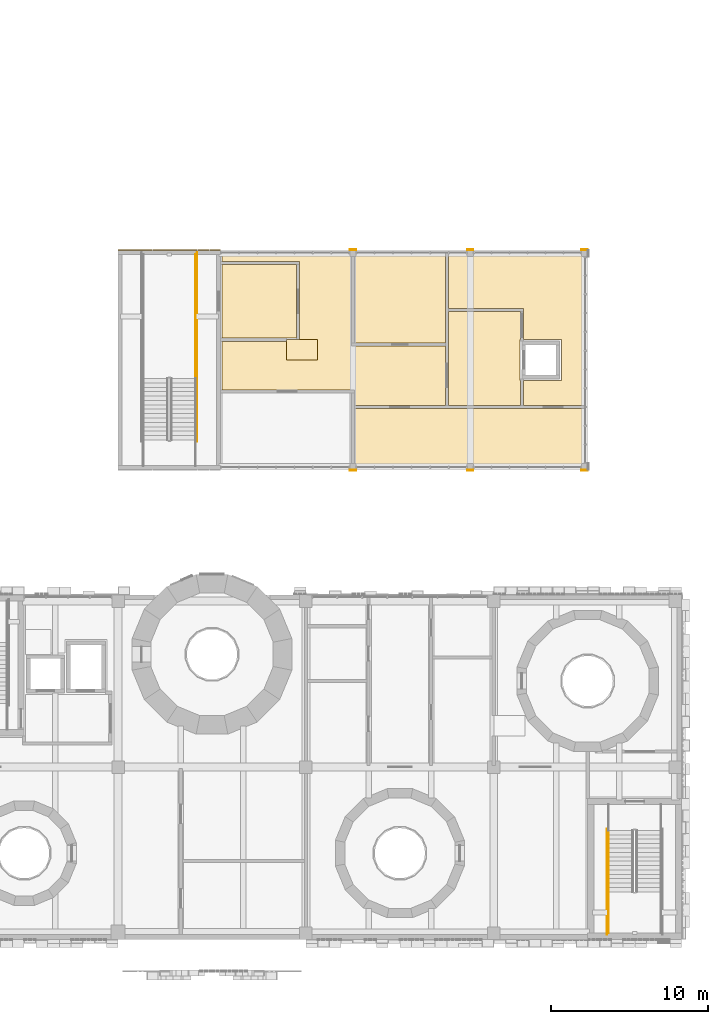
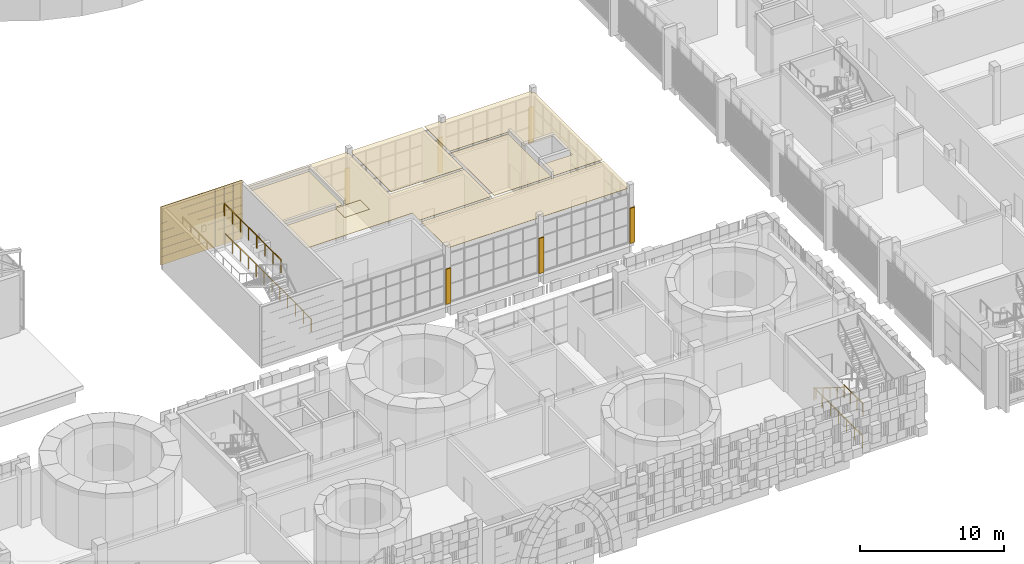
# One storey, part 103 of 125: 10 coverings, 5 railings.
"""IFC4 building model written with IfcOpenShell, lengths in metres."""

from ifc_helpers import new_model, si_unit, direction, frame, origin, origin_2d, place, context, subcontext, project, spatial, polyline, rectangle, circle, outline, extrude, material, layer, layer_set, type_object, element, save


model = new_model("IFC4")

# Units and contexts
model_context = context("Model", 3, precision=1e-05, world=origin(), true_north=direction((0.0, 1.0)))
body_context = subcontext(model_context, "Body", "Model", "MODEL_VIEW")
ifc_project = project(units=[si_unit("LENGTHUNIT", "METRE"), si_unit("AREAUNIT", "SQUARE_METRE"), si_unit("VOLUMEUNIT", "CUBIC_METRE"), si_unit("PLANEANGLEUNIT", "RADIAN"), si_unit("MASSUNIT", "GRAM", prefix="KILO")], contexts=[model_context])

# Site, building, storey
site_placement = place(None, origin())
site = spatial("IfcSite", under=ifc_project, at=site_placement, CompositionType="ELEMENT")
building_placement = place(site_placement, origin())
building = spatial("IfcBuilding", under=site, at=building_placement, Name="Sun Court Science Centre", CompositionType="ELEMENT")
storey_placement = place(building_placement, frame((0.0, 0.0, 6.0)))
storey = spatial("IfcBuildingStorey", under=building, at=storey_placement, Name="L01", CompositionType="ELEMENT", Elevation=6.0)

# Coverings
ifc_material_1 = material(Name="Gypsum board")
ifc_layer_1 = layer(ifc_material_1, 0.030029296875)
ifc_layer_set_1 = layer_set([ifc_layer_1], Name="Gypsum board")
covering_type_1 = type_object("IfcCoveringType", Name="Ceiling suspended 600 module", PredefinedType="CEILING", material=ifc_layer_set_1)
covering_1_placement = place(storey_placement, frame((0.0, 0.0, 4.52001953125)))
element("IfcCovering", 1, at=covering_1_placement, inside=storey, type_object=covering_type_1, Name="L01-085 ceiling", PredefinedType="CEILING", context=body_context, shape_type="SweptSolid", body=[
    extrude(outline(polyline([(42.64990234375, 49.10009765625), (47.39990234375, 49.10009765625), (47.39990234375, 44.39990234375), (42.64990234375, 44.39990234375), (42.64990234375, 49.10009765625)])), origin(), (0.0, 0.0, 1.0), 0.030029296875),
])
covering_2_placement = place(storey_placement, frame((0.0, 0.0, 4.52001953125)))
element("IfcCovering", 2, at=covering_2_placement, inside=storey, type_object=covering_type_1, Name="L01-086 ceiling", PredefinedType="CEILING", context=body_context, shape_type="SweptSolid", body=[
    extrude(outline(polyline([(46.75, 43.0), (48.75, 43.0), (48.75, 44.300048828125), (47.60009765625, 44.300048828125), (47.60009765625, 49.300048828125), (42.64990234375, 49.300048828125), (42.64990234375, 49.800048828125), (50.800048828125, 49.800048828125), (50.800048828125, 49.60009765625), (50.89990234375, 49.60009765625), (50.89990234375, 43.89990234375), (56.89990234375, 43.89990234375), (56.89990234375, 40.10009765625), (51.10009765625, 40.10009765625), (51.10009765625, 41.10009765625), (42.64990234375, 41.10009765625), (42.64990234375, 44.199951171875), (46.75, 44.199951171875), (46.75, 43.0)])), origin(), (0.0, 0.0, 1.0), 0.030029296875),
])
covering_3_placement = place(storey_placement, frame((0.0, 0.0, 4.52001953125)))
element("IfcCovering", 3, at=covering_3_placement, inside=storey, type_object=covering_type_1, Name="L01-087 ceiling", PredefinedType="CEILING", context=body_context, shape_type="SweptSolid", body=[
    extrude(outline(polyline([(56.89990234375, 49.800048828125), (56.89990234375, 44.10009765625), (51.10009765625, 44.10009765625), (51.10009765625, 49.60009765625), (51.199951171875, 49.60009765625), (51.199951171875, 49.800048828125), (56.89990234375, 49.800048828125)])), origin(), (0.0, 0.0, 1.0), 0.030029296875),
])
covering_4_placement = place(storey_placement, frame((0.0, 0.0, 4.52001953125)))
element("IfcCovering", 4, at=covering_4_placement, inside=storey, type_object=covering_type_1, Name="L01-088 ceiling", PredefinedType="CEILING", context=body_context, shape_type="SweptSolid", body=[
    extrude(outline(polyline([(57.10009765625, 40.10009765625), (57.10009765625, 46.10009765625), (61.68994140625, 46.10009765625), (61.68994140625, 44.3125), (61.6875, 44.3125), (61.6875, 41.6875), (61.68994140625, 41.6875), (61.68994140625, 40.10009765625), (57.10009765625, 40.10009765625)])), origin(), (0.0, 0.0, 1.0), 0.030029296875),
])
covering_5_placement = place(storey_placement, frame((0.0, 0.0, 4.52001953125)))
element("IfcCovering", 5, at=covering_5_placement, inside=storey, type_object=covering_type_1, Name="L01-089 ceiling", PredefinedType="CEILING", context=body_context, shape_type="SweptSolid", body=[
    extrude(outline(polyline([(65.60009765625, 36.199951171875), (58.699951171875, 36.199951171875), (58.699951171875, 36.39990234375), (58.300048828125, 36.39990234375), (58.300048828125, 36.199951171875), (51.199951171875, 36.199951171875), (51.199951171875, 36.39990234375), (51.10009765625, 36.39990234375), (51.10009765625, 39.89990234375), (65.800048828125, 39.89990234375), (65.800048828125, 36.39990234375), (65.60009765625, 36.39990234375), (65.60009765625, 36.199951171875)])), origin(), (0.0, 0.0, 1.0), 0.030029296875),
])
covering_6_placement = place(storey_placement, frame((0.0, 0.0, 4.52001953125)))
element("IfcCovering", 6, at=covering_6_placement, inside=storey, type_object=covering_type_1, Name="L01-090 ceiling", PredefinedType="CEILING", context=body_context, shape_type="SweptSolid", body=[
    extrude(outline(polyline([(65.800048828125, 49.60009765625), (65.800048828125, 40.10009765625), (61.889892578125, 40.10009765625), (61.889892578125, 41.6875), (64.3125, 41.6875), (64.3125, 44.3125), (61.889892578125, 44.3125), (61.889892578125, 46.300048828125), (57.10009765625, 46.300048828125), (57.10009765625, 49.800048828125), (58.300048828125, 49.800048828125), (58.300048828125, 49.60009765625), (58.699951171875, 49.60009765625), (58.699951171875, 49.800048828125), (65.60009765625, 49.800048828125), (65.60009765625, 49.60009765625), (65.800048828125, 49.60009765625)])), origin(), (0.0, 0.0, 1.0), 0.030029296875),
])
covering_7_placement = place(storey_placement, frame((0.0, 0.0, 4.52001953125)))
element("IfcCovering", 7, at=covering_7_placement, inside=storey, type_object=covering_type_1, Name="L01-091 ceiling", PredefinedType="CEILING", context=body_context, shape_type="SweptSolid", body=[
    extrude(outline(polyline([(48.75, 44.300048828125), (48.75, 43.0), (46.75, 43.0), (46.75, 44.300048828125), (48.75, 44.300048828125)])), origin(), (0.0, 0.0, 1.0), 0.030029296875),
])

# Railings
ifc_material_2 = material(Name="Steel S275", Category="steel")
railing_type_1 = type_object("IfcRailingType", Name="Guard 1100 steel balustrade", PredefinedType="GUARDRAIL", material=ifc_material_2)
railing_1_placement = place(storey_placement, frame((67.326904296875, 9.031982421875, 2.625)))
element("IfcRailing", 8, at=railing_1_placement, inside=storey, type_object=railing_type_1, Name="L01 SB3 stair guard 3", PredefinedType="GUARDRAIL", context=body_context, shape_type="SweptSolid", body=[
    extrude(circle(Radius=0.02392578125, at=origin_2d()), frame((0.0, 0.0, 1.076171875), z_axis=(0.0, -1.0, 0.0), x_axis=(1.0, 0.0, 0.0)), (0.0, 0.0, 1.0), 2.632080078125),
    extrude(circle(Radius=0.02099609375, at=origin_2d()), origin(), (0.0, 0.0, 1.0), 1.052001953125),
    extrude(circle(Radius=0.02099609375, at=origin_2d()), frame((0.0, -0.87744140625, 0.0)), (0.0, 0.0, 1.0), 1.052001953125),
    extrude(circle(Radius=0.02099609375, at=origin_2d()), frame((0.0, -1.754638671875, 0.0)), (0.0, 0.0, 1.0), 1.052001953125),
    extrude(circle(Radius=0.02099609375, at=origin_2d()), frame((0.0, -2.632080078125, 0.0)), (0.0, 0.0, 1.0), 1.052001953125),
])
railing_2_placement = place(storey_placement, frame((67.22705078125, 13.052001953125, 0.0)))
element("IfcRailing", 9, at=railing_2_placement, inside=storey, type_object=railing_type_1, Name="L01 SB3 stair guard 9", PredefinedType="GUARDRAIL", context=body_context, shape_type="SweptSolid", body=[
    extrude(circle(Radius=0.02392578125, at=origin_2d()), frame((0.0, 0.0, 1.076171875), z_axis=(0.0, -1.0, 0.0), x_axis=(1.0, 0.0, 0.0)), (0.0, 0.0, 1.0), 6.751953125),
    extrude(circle(Radius=0.02099609375, at=origin_2d()), origin(), (0.0, 0.0, 1.0), 1.052001953125),
    extrude(circle(Radius=0.02099609375, at=origin_2d()), frame((0.0, -1.125244140625, 0.0)), (0.0, 0.0, 1.0), 1.052001953125),
    extrude(circle(Radius=0.02099609375, at=origin_2d()), frame((0.0, -2.250732421875, 0.0)), (0.0, 0.0, 1.0), 1.052001953125),
    extrude(circle(Radius=0.02099609375, at=origin_2d()), frame((0.0, -3.3759765625, 0.0)), (0.0, 0.0, 1.0), 1.052001953125),
    extrude(circle(Radius=0.02099609375, at=origin_2d()), frame((0.0, -4.501220703125, 0.0)), (0.0, 0.0, 1.0), 1.052001953125),
    extrude(circle(Radius=0.02099609375, at=origin_2d()), frame((0.0, -5.626708984375, 0.0)), (0.0, 0.0, 1.0), 1.052001953125),
    extrude(circle(Radius=0.02099609375, at=origin_2d()), frame((0.0, -6.751953125, 0.0)), (0.0, 0.0, 1.0), 1.052001953125),
])
railing_3_placement = place(storey_placement, frame((40.947998046875, 41.818115234375, 2.625)))
element("IfcRailing", 10, at=railing_3_placement, inside=storey, type_object=railing_type_1, Name="L01 SP1 stair guard 3", PredefinedType="GUARDRAIL", context=body_context, shape_type="SweptSolid", body=[
    extrude(circle(Radius=0.02392578125, at=origin_2d()), frame((0.0, 0.0, 1.076171875), z_axis=(0.0, 1.0, 0.0), x_axis=(-1.0, 0.0, 0.0)), (0.0, 0.0, 1.0), 7.931884765625),
    extrude(circle(Radius=0.02099609375, at=origin_2d()), origin(), (0.0, 0.0, 1.0), 1.052001953125),
    extrude(circle(Radius=0.02099609375, at=origin_2d()), frame((0.0, 1.133056640625, 0.0)), (0.0, 0.0, 1.0), 1.052001953125),
    extrude(circle(Radius=0.02099609375, at=origin_2d()), frame((0.0, 2.266357421875, 0.0)), (0.0, 0.0, 1.0), 1.052001953125),
    extrude(circle(Radius=0.02099609375, at=origin_2d()), frame((0.0, 3.3994140625, 0.0)), (0.0, 0.0, 1.0), 1.052001953125),
    extrude(circle(Radius=0.02099609375, at=origin_2d()), frame((0.0, 4.532470703125, 0.0)), (0.0, 0.0, 1.0), 1.052001953125),
    extrude(circle(Radius=0.02099609375, at=origin_2d()), frame((0.0, 5.66552734375, 0.0)), (0.0, 0.0, 1.0), 1.052001953125),
    extrude(circle(Radius=0.02099609375, at=origin_2d()), frame((0.0, 6.798828125, 0.0)), (0.0, 0.0, 1.0), 1.052001953125),
    extrude(circle(Radius=0.02099609375, at=origin_2d()), frame((0.0, 7.931884765625, 0.0)), (0.0, 0.0, 1.0), 1.052001953125),
])
railing_4_placement = place(storey_placement, frame((41.048095703125, 37.798095703125, 0.0)))
element("IfcRailing", 11, at=railing_4_placement, inside=storey, type_object=railing_type_1, Name="L01 SP1 stair guard 9", PredefinedType="GUARDRAIL", context=body_context, shape_type="SweptSolid", body=[
    extrude(circle(Radius=0.02392578125, at=origin_2d()), frame((0.0, 0.0, 1.076171875), z_axis=(0.0, 1.0, 0.0), x_axis=(-1.0, 0.0, 0.0)), (0.0, 0.0, 1.0), 12.052001953125),
    extrude(circle(Radius=0.02099609375, at=origin_2d()), origin(), (0.0, 0.0, 1.0), 1.052001953125),
    extrude(circle(Radius=0.02099609375, at=origin_2d()), frame((0.0, 1.095703125, 0.0)), (0.0, 0.0, 1.0), 1.052001953125),
    extrude(circle(Radius=0.02099609375, at=origin_2d()), frame((0.0, 2.191162109375, 0.0)), (0.0, 0.0, 1.0), 1.052001953125),
    extrude(circle(Radius=0.02099609375, at=origin_2d()), frame((0.0, 3.286865234375, 0.0)), (0.0, 0.0, 1.0), 1.052001953125),
    extrude(circle(Radius=0.02099609375, at=origin_2d()), frame((0.0, 4.382568359375, 0.0)), (0.0, 0.0, 1.0), 1.052001953125),
    extrude(circle(Radius=0.02099609375, at=origin_2d()), frame((0.0, 5.478271484375, 0.0)), (0.0, 0.0, 1.0), 1.052001953125),
    extrude(circle(Radius=0.02099609375, at=origin_2d()), frame((0.0, 6.57373046875, 0.0)), (0.0, 0.0, 1.0), 1.052001953125),
    extrude(circle(Radius=0.02099609375, at=origin_2d()), frame((0.0, 7.66943359375, 0.0)), (0.0, 0.0, 1.0), 1.052001953125),
    extrude(circle(Radius=0.02099609375, at=origin_2d()), frame((0.0, 8.76513671875, 0.0)), (0.0, 0.0, 1.0), 1.052001953125),
    extrude(circle(Radius=0.02099609375, at=origin_2d()), frame((0.0, 9.86083984375, 0.0)), (0.0, 0.0, 1.0), 1.052001953125),
    extrude(circle(Radius=0.02099609375, at=origin_2d()), frame((0.0, 10.956298828125, 0.0)), (0.0, 0.0, 1.0), 1.052001953125),
    extrude(circle(Radius=0.02099609375, at=origin_2d()), frame((0.0, 12.052001953125, 0.0)), (0.0, 0.0, 1.0), 1.052001953125),
])
ifc_material_3 = material(Name="Stainless steel", Category="steel")
railing_type_2 = type_object("IfcRailingType", Name="Handrail 900 stainless", PredefinedType="HANDRAIL", material=ifc_material_3)
railing_5_placement = place(storey_placement, frame((67.326904296875, 12.951904296875, 0.175048828125)))
element("IfcRailing", 12, at=railing_5_placement, inside=storey, type_object=railing_type_2, Name="L01 SB3 stair handrail 1", PredefinedType="HANDRAIL", context=body_context, shape_type="SweptSolid", body=[
    extrude(circle(Radius=0.02392578125, at=origin_2d()), frame((0.0, 0.0, 0.8759765625), z_axis=(0.0, -0.847998304005, 0.529998940003), x_axis=(1.0, 0.0, 0.0)), (0.0, 0.0, 1.0), 4.62255859375),
    extrude(circle(Radius=0.02099609375, at=origin_2d()), origin(), (0.0, 0.0, 1.0), 0.851806640625),
    extrude(circle(Radius=0.02099609375, at=origin_2d()), frame((0.0, -0.97998046875, 0.612548828125)), (0.0, 0.0, 1.0), 0.851806640625),
    extrude(circle(Radius=0.02099609375, at=origin_2d()), frame((0.0, -1.9599609375, 1.22509765625)), (0.0, 0.0, 1.0), 0.851806640625),
    extrude(circle(Radius=0.02099609375, at=origin_2d()), frame((0.0, -2.93994140625, 1.83740234375)), (0.0, 0.0, 1.0), 0.851806640625),
    extrude(circle(Radius=0.02099609375, at=origin_2d()), frame((0.0, -3.919921875, 2.449951171875)), (0.0, 0.0, 1.0), 0.851806640625),
])

# Coverings
ifc_material_4 = material(Name="Red sandstone", Category="masonry")
ifc_layer_2 = layer(ifc_material_4, 0.080078125)
ifc_layer_set_2 = layer_set([ifc_layer_2], Name="Red sandstone")
covering_type_2 = type_object("IfcCoveringType", Name="Red sandstone pier cladding", PredefinedType="CLADDING", material=ifc_layer_set_2)
covering_8_placement = place(storey_placement, frame((0.0, 0.0, -6.0)))
element("IfcCovering", 13, at=covering_8_placement, inside=storey, type_object=covering_type_2, Name="Red sandstone pier cladding south face L01", PredefinedType="CLADDING", context=body_context, shape_type="SweptSolid", body=[
    extrude(rectangle(XDim=0.39990234375, YDim=0.080078125, at=origin_2d()), frame((65.800048828125, 35.9599609375, 6.0), z_axis=(0.0, 0.0, 1.0), x_axis=(-1.0, 0.0, 0.0)), (0.0, 0.0, 1.0), 3.0),
    extrude(rectangle(XDim=0.39990234375, YDim=0.080078125, at=origin_2d()), frame((58.5, 35.9599609375, 6.0), z_axis=(0.0, 0.0, 1.0), x_axis=(-1.0, 0.0, 0.0)), (0.0, 0.0, 1.0), 3.0),
    extrude(rectangle(XDim=0.39990234375, YDim=0.080078125, at=origin_2d()), frame((51.0, 35.9599609375, 6.0), z_axis=(0.0, 0.0, 1.0), x_axis=(-1.0, 0.0, 0.0)), (0.0, 0.0, 1.0), 3.0),
])
covering_9_placement = place(storey_placement, frame((0.0, 0.0, -6.0)))
element("IfcCovering", 14, at=covering_9_placement, inside=storey, type_object=covering_type_2, Name="Red sandstone pier cladding north face L01", PredefinedType="CLADDING", context=body_context, shape_type="SweptSolid", body=[
    extrude(rectangle(XDim=0.39990234375, YDim=0.080078125, at=origin_2d()), frame((51.0, 50.0400390625, 6.0), z_axis=(0.0, 0.0, 1.0), x_axis=(1.0, 0.0, 0.0)), (0.0, 0.0, 1.0), 3.0),
    extrude(rectangle(XDim=0.39990234375, YDim=0.080078125, at=origin_2d()), frame((58.5, 50.0400390625, 6.0), z_axis=(0.0, 0.0, 1.0), x_axis=(1.0, 0.0, 0.0)), (0.0, 0.0, 1.0), 3.0),
    extrude(rectangle(XDim=0.39990234375, YDim=0.080078125, at=origin_2d()), frame((65.800048828125, 50.0400390625, 6.0), z_axis=(0.0, 0.0, 1.0), x_axis=(1.0, 0.0, 0.0)), (0.0, 0.0, 1.0), 3.0),
])
ifc_material_5 = material(Name="Red sandstone", Category="masonry")
ifc_layer_3 = layer(ifc_material_5, 0.06005859375)
ifc_layer_set_3 = layer_set([ifc_layer_3], Name="Red sandstone")
covering_type_3 = type_object("IfcCoveringType", Name="Red sandstone wall cladding 750", PredefinedType="CLADDING", material=ifc_layer_set_3)
covering_10_placement = place(storey_placement, frame((0.0, 0.0, -6.0)))
element("IfcCovering", 15, at=covering_10_placement, inside=storey, type_object=covering_type_3, Name="Red sandstone wall cladding north face L01", PredefinedType="CLADDING", context=body_context, shape_type="SweptSolid", body=[
    extrude(rectangle(XDim=0.7177734375, YDim=0.06005859375, at=origin_2d()), frame((36.36376953125, 50.030029296875, 6.0048828125), z_axis=(0.0, 0.0, 1.0), x_axis=(1.0, 0.0, 0.0)), (0.0, 0.0, 1.0), 0.697021484375),
    extrude(rectangle(XDim=0.7177734375, YDim=0.06005859375, at=origin_2d()), frame((37.091552734375, 50.030029296875, 6.0048828125), z_axis=(0.0, 0.0, 1.0), x_axis=(1.0, 0.0, 0.0)), (0.0, 0.0, 1.0), 0.697021484375),
    extrude(rectangle(XDim=0.7177734375, YDim=0.06005859375, at=origin_2d()), frame((37.8193359375, 50.030029296875, 6.0048828125), z_axis=(0.0, 0.0, 1.0), x_axis=(1.0, 0.0, 0.0)), (0.0, 0.0, 1.0), 0.697021484375),
    extrude(rectangle(XDim=0.7177734375, YDim=0.06005859375, at=origin_2d()), frame((38.547119140625, 50.030029296875, 6.0048828125), z_axis=(0.0, 0.0, 1.0), x_axis=(1.0, 0.0, 0.0)), (0.0, 0.0, 1.0), 0.697021484375),
    extrude(rectangle(XDim=0.7177734375, YDim=0.06005859375, at=origin_2d()), frame((39.27490234375, 50.030029296875, 6.0048828125), z_axis=(0.0, 0.0, 1.0), x_axis=(1.0, 0.0, 0.0)), (0.0, 0.0, 1.0), 0.697021484375),
    extrude(rectangle(XDim=0.7177734375, YDim=0.06005859375, at=origin_2d()), frame((40.002685546875, 50.030029296875, 6.0048828125), z_axis=(0.0, 0.0, 1.0), x_axis=(1.0, 0.0, 0.0)), (0.0, 0.0, 1.0), 0.697021484375),
    extrude(rectangle(XDim=0.7177734375, YDim=0.06005859375, at=origin_2d()), frame((40.73046875, 50.030029296875, 6.0048828125), z_axis=(0.0, 0.0, 1.0), x_axis=(1.0, 0.0, 0.0)), (0.0, 0.0, 1.0), 0.697021484375),
    extrude(rectangle(XDim=0.7177734375, YDim=0.06005859375, at=origin_2d()), frame((41.458251953125, 50.030029296875, 6.0048828125), z_axis=(0.0, 0.0, 1.0), x_axis=(1.0, 0.0, 0.0)), (0.0, 0.0, 1.0), 0.697021484375),
    extrude(rectangle(XDim=0.7177734375, YDim=0.06005859375, at=origin_2d()), frame((42.18603515625, 50.030029296875, 6.0048828125), z_axis=(0.0, 0.0, 1.0), x_axis=(1.0, 0.0, 0.0)), (0.0, 0.0, 1.0), 0.697021484375),
    extrude(rectangle(XDim=0.7177734375, YDim=0.06005859375, at=origin_2d()), frame((36.36376953125, 50.030029296875, 6.71240234375), z_axis=(0.0, 0.0, 1.0), x_axis=(1.0, 0.0, 0.0)), (0.0, 0.0, 1.0), 0.697021484375),
    extrude(rectangle(XDim=0.7177734375, YDim=0.06005859375, at=origin_2d()), frame((37.091552734375, 50.030029296875, 6.71240234375), z_axis=(0.0, 0.0, 1.0), x_axis=(1.0, 0.0, 0.0)), (0.0, 0.0, 1.0), 0.697021484375),
    extrude(rectangle(XDim=0.7177734375, YDim=0.06005859375, at=origin_2d()), frame((37.8193359375, 50.030029296875, 6.71240234375), z_axis=(0.0, 0.0, 1.0), x_axis=(1.0, 0.0, 0.0)), (0.0, 0.0, 1.0), 0.697021484375),
    extrude(rectangle(XDim=0.7177734375, YDim=0.06005859375, at=origin_2d()), frame((38.547119140625, 50.030029296875, 6.71240234375), z_axis=(0.0, 0.0, 1.0), x_axis=(1.0, 0.0, 0.0)), (0.0, 0.0, 1.0), 0.697021484375),
    extrude(rectangle(XDim=0.7177734375, YDim=0.06005859375, at=origin_2d()), frame((39.27490234375, 50.030029296875, 6.71240234375), z_axis=(0.0, 0.0, 1.0), x_axis=(1.0, 0.0, 0.0)), (0.0, 0.0, 1.0), 0.697021484375),
    extrude(rectangle(XDim=0.7177734375, YDim=0.06005859375, at=origin_2d()), frame((40.002685546875, 50.030029296875, 6.71240234375), z_axis=(0.0, 0.0, 1.0), x_axis=(1.0, 0.0, 0.0)), (0.0, 0.0, 1.0), 0.697021484375),
    extrude(rectangle(XDim=0.7177734375, YDim=0.06005859375, at=origin_2d()), frame((40.73046875, 50.030029296875, 6.71240234375), z_axis=(0.0, 0.0, 1.0), x_axis=(1.0, 0.0, 0.0)), (0.0, 0.0, 1.0), 0.697021484375),
    extrude(rectangle(XDim=0.7177734375, YDim=0.06005859375, at=origin_2d()), frame((41.458251953125, 50.030029296875, 6.71240234375), z_axis=(0.0, 0.0, 1.0), x_axis=(1.0, 0.0, 0.0)), (0.0, 0.0, 1.0), 0.697021484375),
    extrude(rectangle(XDim=0.7177734375, YDim=0.06005859375, at=origin_2d()), frame((42.18603515625, 50.030029296875, 6.71240234375), z_axis=(0.0, 0.0, 1.0), x_axis=(1.0, 0.0, 0.0)), (0.0, 0.0, 1.0), 0.697021484375),
    extrude(rectangle(XDim=0.7177734375, YDim=0.06005859375, at=origin_2d()), frame((36.36376953125, 50.030029296875, 7.41943359375), z_axis=(0.0, 0.0, 1.0), x_axis=(1.0, 0.0, 0.0)), (0.0, 0.0, 1.0), 0.697021484375),
    extrude(rectangle(XDim=0.7177734375, YDim=0.06005859375, at=origin_2d()), frame((37.091552734375, 50.030029296875, 7.41943359375), z_axis=(0.0, 0.0, 1.0), x_axis=(1.0, 0.0, 0.0)), (0.0, 0.0, 1.0), 0.697021484375),
    extrude(rectangle(XDim=0.7177734375, YDim=0.06005859375, at=origin_2d()), frame((37.8193359375, 50.030029296875, 7.41943359375), z_axis=(0.0, 0.0, 1.0), x_axis=(1.0, 0.0, 0.0)), (0.0, 0.0, 1.0), 0.697021484375),
    extrude(rectangle(XDim=0.7177734375, YDim=0.06005859375, at=origin_2d()), frame((38.547119140625, 50.030029296875, 7.41943359375), z_axis=(0.0, 0.0, 1.0), x_axis=(1.0, 0.0, 0.0)), (0.0, 0.0, 1.0), 0.697021484375),
    extrude(rectangle(XDim=0.7177734375, YDim=0.06005859375, at=origin_2d()), frame((39.27490234375, 50.030029296875, 7.41943359375), z_axis=(0.0, 0.0, 1.0), x_axis=(1.0, 0.0, 0.0)), (0.0, 0.0, 1.0), 0.697021484375),
    extrude(rectangle(XDim=0.7177734375, YDim=0.06005859375, at=origin_2d()), frame((40.002685546875, 50.030029296875, 7.41943359375), z_axis=(0.0, 0.0, 1.0), x_axis=(1.0, 0.0, 0.0)), (0.0, 0.0, 1.0), 0.697021484375),
    extrude(rectangle(XDim=0.7177734375, YDim=0.06005859375, at=origin_2d()), frame((40.73046875, 50.030029296875, 7.41943359375), z_axis=(0.0, 0.0, 1.0), x_axis=(1.0, 0.0, 0.0)), (0.0, 0.0, 1.0), 0.697021484375),
    extrude(rectangle(XDim=0.7177734375, YDim=0.06005859375, at=origin_2d()), frame((41.458251953125, 50.030029296875, 7.41943359375), z_axis=(0.0, 0.0, 1.0), x_axis=(1.0, 0.0, 0.0)), (0.0, 0.0, 1.0), 0.697021484375),
    extrude(rectangle(XDim=0.7177734375, YDim=0.06005859375, at=origin_2d()), frame((42.18603515625, 50.030029296875, 7.41943359375), z_axis=(0.0, 0.0, 1.0), x_axis=(1.0, 0.0, 0.0)), (0.0, 0.0, 1.0), 0.697021484375),
    extrude(rectangle(XDim=0.7177734375, YDim=0.06005859375, at=origin_2d()), frame((36.36376953125, 50.030029296875, 8.12646484375), z_axis=(0.0, 0.0, 1.0), x_axis=(1.0, 0.0, 0.0)), (0.0, 0.0, 1.0), 0.697021484375),
    extrude(rectangle(XDim=0.7177734375, YDim=0.06005859375, at=origin_2d()), frame((37.091552734375, 50.030029296875, 8.12646484375), z_axis=(0.0, 0.0, 1.0), x_axis=(1.0, 0.0, 0.0)), (0.0, 0.0, 1.0), 0.697021484375),
    extrude(rectangle(XDim=0.7177734375, YDim=0.06005859375, at=origin_2d()), frame((37.8193359375, 50.030029296875, 8.12646484375), z_axis=(0.0, 0.0, 1.0), x_axis=(1.0, 0.0, 0.0)), (0.0, 0.0, 1.0), 0.697021484375),
    extrude(rectangle(XDim=0.7177734375, YDim=0.06005859375, at=origin_2d()), frame((38.547119140625, 50.030029296875, 8.12646484375), z_axis=(0.0, 0.0, 1.0), x_axis=(1.0, 0.0, 0.0)), (0.0, 0.0, 1.0), 0.697021484375),
    extrude(rectangle(XDim=0.7177734375, YDim=0.06005859375, at=origin_2d()), frame((39.27490234375, 50.030029296875, 8.12646484375), z_axis=(0.0, 0.0, 1.0), x_axis=(1.0, 0.0, 0.0)), (0.0, 0.0, 1.0), 0.697021484375),
    extrude(rectangle(XDim=0.7177734375, YDim=0.06005859375, at=origin_2d()), frame((40.002685546875, 50.030029296875, 8.12646484375), z_axis=(0.0, 0.0, 1.0), x_axis=(1.0, 0.0, 0.0)), (0.0, 0.0, 1.0), 0.697021484375),
    extrude(rectangle(XDim=0.7177734375, YDim=0.06005859375, at=origin_2d()), frame((40.73046875, 50.030029296875, 8.12646484375), z_axis=(0.0, 0.0, 1.0), x_axis=(1.0, 0.0, 0.0)), (0.0, 0.0, 1.0), 0.697021484375),
    extrude(rectangle(XDim=0.7177734375, YDim=0.06005859375, at=origin_2d()), frame((41.458251953125, 50.030029296875, 8.12646484375), z_axis=(0.0, 0.0, 1.0), x_axis=(1.0, 0.0, 0.0)), (0.0, 0.0, 1.0), 0.697021484375),
    extrude(rectangle(XDim=0.7177734375, YDim=0.06005859375, at=origin_2d()), frame((42.18603515625, 50.030029296875, 8.12646484375), z_axis=(0.0, 0.0, 1.0), x_axis=(1.0, 0.0, 0.0)), (0.0, 0.0, 1.0), 0.697021484375),
    extrude(rectangle(XDim=0.7177734375, YDim=0.06005859375, at=origin_2d()), frame((36.36376953125, 50.030029296875, 8.83349609375), z_axis=(0.0, 0.0, 1.0), x_axis=(1.0, 0.0, 0.0)), (0.0, 0.0, 1.0), 0.697021484375),
    extrude(rectangle(XDim=0.7177734375, YDim=0.06005859375, at=origin_2d()), frame((37.091552734375, 50.030029296875, 8.83349609375), z_axis=(0.0, 0.0, 1.0), x_axis=(1.0, 0.0, 0.0)), (0.0, 0.0, 1.0), 0.697021484375),
    extrude(rectangle(XDim=0.7177734375, YDim=0.06005859375, at=origin_2d()), frame((37.8193359375, 50.030029296875, 8.83349609375), z_axis=(0.0, 0.0, 1.0), x_axis=(1.0, 0.0, 0.0)), (0.0, 0.0, 1.0), 0.697021484375),
    extrude(rectangle(XDim=0.7177734375, YDim=0.06005859375, at=origin_2d()), frame((38.547119140625, 50.030029296875, 8.83349609375), z_axis=(0.0, 0.0, 1.0), x_axis=(1.0, 0.0, 0.0)), (0.0, 0.0, 1.0), 0.697021484375),
    extrude(rectangle(XDim=0.7177734375, YDim=0.06005859375, at=origin_2d()), frame((39.27490234375, 50.030029296875, 8.83349609375), z_axis=(0.0, 0.0, 1.0), x_axis=(1.0, 0.0, 0.0)), (0.0, 0.0, 1.0), 0.697021484375),
    extrude(rectangle(XDim=0.7177734375, YDim=0.06005859375, at=origin_2d()), frame((40.002685546875, 50.030029296875, 8.83349609375), z_axis=(0.0, 0.0, 1.0), x_axis=(1.0, 0.0, 0.0)), (0.0, 0.0, 1.0), 0.697021484375),
    extrude(rectangle(XDim=0.7177734375, YDim=0.06005859375, at=origin_2d()), frame((40.73046875, 50.030029296875, 8.83349609375), z_axis=(0.0, 0.0, 1.0), x_axis=(1.0, 0.0, 0.0)), (0.0, 0.0, 1.0), 0.697021484375),
    extrude(rectangle(XDim=0.7177734375, YDim=0.06005859375, at=origin_2d()), frame((41.458251953125, 50.030029296875, 8.83349609375), z_axis=(0.0, 0.0, 1.0), x_axis=(1.0, 0.0, 0.0)), (0.0, 0.0, 1.0), 0.697021484375),
    extrude(rectangle(XDim=0.7177734375, YDim=0.06005859375, at=origin_2d()), frame((42.18603515625, 50.030029296875, 8.83349609375), z_axis=(0.0, 0.0, 1.0), x_axis=(1.0, 0.0, 0.0)), (0.0, 0.0, 1.0), 0.697021484375),
    extrude(rectangle(XDim=0.7177734375, YDim=0.06005859375, at=origin_2d()), frame((36.36376953125, 50.030029296875, 9.541015625), z_axis=(0.0, 0.0, 1.0), x_axis=(1.0, 0.0, 0.0)), (0.0, 0.0, 1.0), 0.697021484375),
    extrude(rectangle(XDim=0.7177734375, YDim=0.06005859375, at=origin_2d()), frame((37.091552734375, 50.030029296875, 9.541015625), z_axis=(0.0, 0.0, 1.0), x_axis=(1.0, 0.0, 0.0)), (0.0, 0.0, 1.0), 0.697021484375),
    extrude(rectangle(XDim=0.7177734375, YDim=0.06005859375, at=origin_2d()), frame((37.8193359375, 50.030029296875, 9.541015625), z_axis=(0.0, 0.0, 1.0), x_axis=(1.0, 0.0, 0.0)), (0.0, 0.0, 1.0), 0.697021484375),
    extrude(rectangle(XDim=0.7177734375, YDim=0.06005859375, at=origin_2d()), frame((38.547119140625, 50.030029296875, 9.541015625), z_axis=(0.0, 0.0, 1.0), x_axis=(1.0, 0.0, 0.0)), (0.0, 0.0, 1.0), 0.697021484375),
    extrude(rectangle(XDim=0.7177734375, YDim=0.06005859375, at=origin_2d()), frame((39.27490234375, 50.030029296875, 9.541015625), z_axis=(0.0, 0.0, 1.0), x_axis=(1.0, 0.0, 0.0)), (0.0, 0.0, 1.0), 0.697021484375),
    extrude(rectangle(XDim=0.7177734375, YDim=0.06005859375, at=origin_2d()), frame((40.002685546875, 50.030029296875, 9.541015625), z_axis=(0.0, 0.0, 1.0), x_axis=(1.0, 0.0, 0.0)), (0.0, 0.0, 1.0), 0.697021484375),
    extrude(rectangle(XDim=0.7177734375, YDim=0.06005859375, at=origin_2d()), frame((40.73046875, 50.030029296875, 9.541015625), z_axis=(0.0, 0.0, 1.0), x_axis=(1.0, 0.0, 0.0)), (0.0, 0.0, 1.0), 0.697021484375),
    extrude(rectangle(XDim=0.7177734375, YDim=0.06005859375, at=origin_2d()), frame((41.458251953125, 50.030029296875, 9.541015625), z_axis=(0.0, 0.0, 1.0), x_axis=(1.0, 0.0, 0.0)), (0.0, 0.0, 1.0), 0.697021484375),
    extrude(rectangle(XDim=0.7177734375, YDim=0.06005859375, at=origin_2d()), frame((42.18603515625, 50.030029296875, 9.541015625), z_axis=(0.0, 0.0, 1.0), x_axis=(1.0, 0.0, 0.0)), (0.0, 0.0, 1.0), 0.697021484375),
    extrude(rectangle(XDim=0.7177734375, YDim=0.06005859375, at=origin_2d()), frame((36.36376953125, 50.030029296875, 10.248046875), z_axis=(0.0, 0.0, 1.0), x_axis=(1.0, 0.0, 0.0)), (0.0, 0.0, 1.0), 0.697021484375),
    extrude(rectangle(XDim=0.7177734375, YDim=0.06005859375, at=origin_2d()), frame((37.091552734375, 50.030029296875, 10.248046875), z_axis=(0.0, 0.0, 1.0), x_axis=(1.0, 0.0, 0.0)), (0.0, 0.0, 1.0), 0.697021484375),
    extrude(rectangle(XDim=0.7177734375, YDim=0.06005859375, at=origin_2d()), frame((37.8193359375, 50.030029296875, 10.248046875), z_axis=(0.0, 0.0, 1.0), x_axis=(1.0, 0.0, 0.0)), (0.0, 0.0, 1.0), 0.697021484375),
    extrude(rectangle(XDim=0.7177734375, YDim=0.06005859375, at=origin_2d()), frame((38.547119140625, 50.030029296875, 10.248046875), z_axis=(0.0, 0.0, 1.0), x_axis=(1.0, 0.0, 0.0)), (0.0, 0.0, 1.0), 0.697021484375),
    extrude(rectangle(XDim=0.7177734375, YDim=0.06005859375, at=origin_2d()), frame((39.27490234375, 50.030029296875, 10.248046875), z_axis=(0.0, 0.0, 1.0), x_axis=(1.0, 0.0, 0.0)), (0.0, 0.0, 1.0), 0.697021484375),
    extrude(rectangle(XDim=0.7177734375, YDim=0.06005859375, at=origin_2d()), frame((40.002685546875, 50.030029296875, 10.248046875), z_axis=(0.0, 0.0, 1.0), x_axis=(1.0, 0.0, 0.0)), (0.0, 0.0, 1.0), 0.697021484375),
    extrude(rectangle(XDim=0.7177734375, YDim=0.06005859375, at=origin_2d()), frame((40.73046875, 50.030029296875, 10.248046875), z_axis=(0.0, 0.0, 1.0), x_axis=(1.0, 0.0, 0.0)), (0.0, 0.0, 1.0), 0.697021484375),
    extrude(rectangle(XDim=0.7177734375, YDim=0.06005859375, at=origin_2d()), frame((41.458251953125, 50.030029296875, 10.248046875), z_axis=(0.0, 0.0, 1.0), x_axis=(1.0, 0.0, 0.0)), (0.0, 0.0, 1.0), 0.697021484375),
    extrude(rectangle(XDim=0.7177734375, YDim=0.06005859375, at=origin_2d()), frame((42.18603515625, 50.030029296875, 10.248046875), z_axis=(0.0, 0.0, 1.0), x_axis=(1.0, 0.0, 0.0)), (0.0, 0.0, 1.0), 0.697021484375),
])

save(model, "model.ifc")
